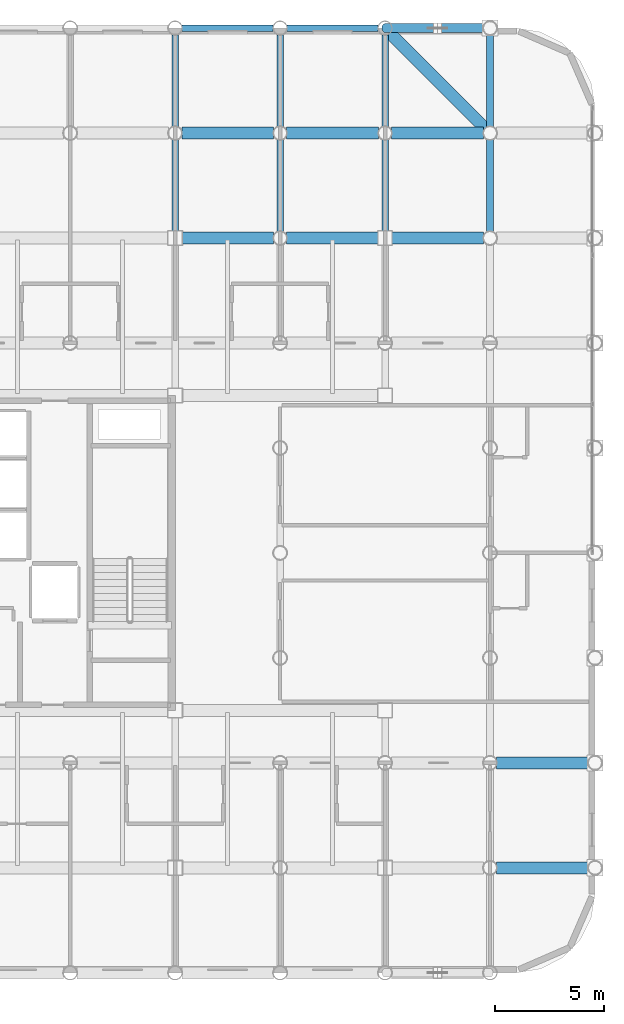
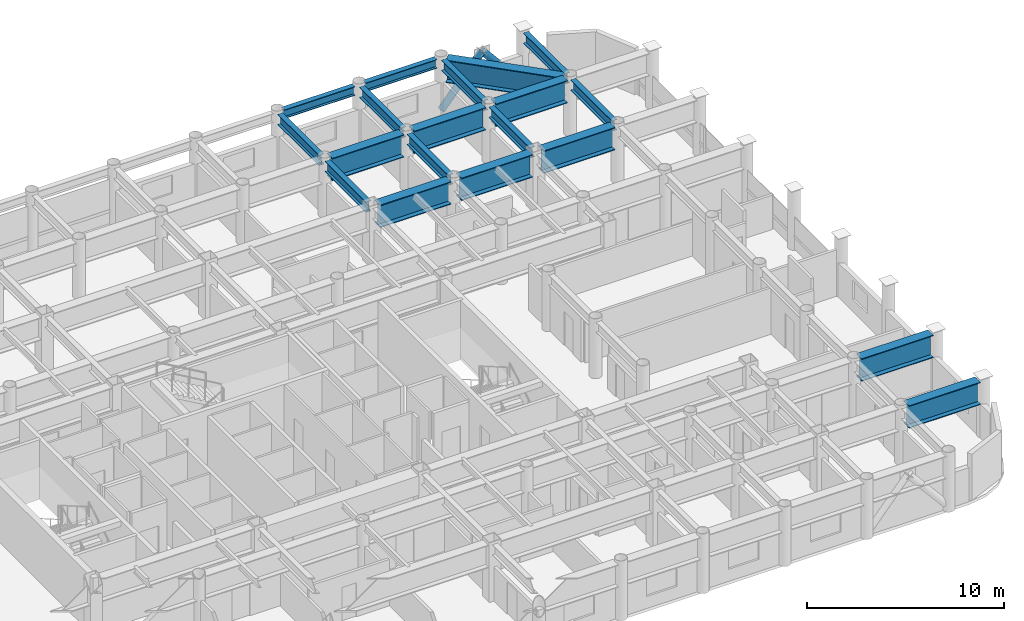
# One storey, part 13 of 23: 19 beams, 2 members.
"""IFC4 building model written with IfcOpenShell, lengths in metres."""

from ifc_helpers import new_model, si_unit, direction, frame, origin, origin_2d, place, context, subcontext, project, spatial, hollow_circle, i_section, extrude, material, material_profile, profile_set, type_object, element, save


model = new_model("IFC4")

# Units and contexts
model_context = context("Model", 3, precision=1e-05, world=origin(), true_north=direction((0.0, 1.0)))
body_context = subcontext(model_context, "Body", "Model", "MODEL_VIEW")
ifc_project = project(units=[si_unit("LENGTHUNIT", "METRE"), si_unit("AREAUNIT", "SQUARE_METRE"), si_unit("VOLUMEUNIT", "CUBIC_METRE"), si_unit("PLANEANGLEUNIT", "RADIAN"), si_unit("MASSUNIT", "GRAM", prefix="KILO")], contexts=[model_context])

# Site, building, storey
site_placement = place(None, origin())
site = spatial("IfcSite", under=ifc_project, at=site_placement, CompositionType="ELEMENT")
building_placement = place(site_placement, origin())
building = spatial("IfcBuilding", under=site, at=building_placement, Name="Kallvorn Hotel Tower", CompositionType="ELEMENT")
storey_placement = place(building_placement, frame((0.0, 0.0, 121.10009765625)))
storey = spatial("IfcBuildingStorey", under=building, at=storey_placement, Name="L29", CompositionType="ELEMENT", Elevation=121.10009765625)

# Beams
ifc_material_1 = material(Name="Structural steel S355JR", Category="steel")
ifc_material_profile_1 = material_profile(ifc_material_1, i_section(OverallWidth=0.300048828125, OverallDepth=0.550048828125, WebThickness=0.014892578125, FlangeThickness=0.029052734375, at=origin_2d()), Name="HE 550 B")
ifc_profile_set_1 = profile_set([ifc_material_profile_1], Name="Structural steel S355JR")
beam_type_1 = type_object("IfcBeamType", Name="BM_HE550B", PredefinedType="SPANDREL", material=ifc_profile_set_1)
for number, where, z_axis, x_axis, name in (
    (1, (14.719970703125, 24.0, 3.244873046875), (1.0, 0.0, 0.0), (0.0, 1.0, 0.0), "L30 Perimeter Spandrel 181"),
    (2, (19.52001953125, 24.0, 3.244873046875), (1.0, 0.0, 0.0), (0.0, 1.0, 0.0), "L30 Perimeter Spandrel 182"),
):
    element("IfcBeam", number, at=place(storey_placement, frame(where, z_axis=z_axis, x_axis=x_axis)), inside=storey, type_object=beam_type_1, Name=name, PredefinedType="SPANDREL", context=body_context, shape_type="SweptSolid", body=[
        extrude(i_section(OverallWidth=0.300048828125, OverallDepth=0.550048828125, WebThickness=0.014892578125, FlangeThickness=0.029052734375, at=origin_2d()), origin(), (0.0, 0.0, 1.0), 4.159912109375),
    ])
ifc_material_2 = material(Name="Structural steel S355JR", Category="steel")
ifc_material_profile_2 = material_profile(ifc_material_2, i_section(OverallWidth=0.300048828125, OverallDepth=0.64990234375, WebThickness=0.01611328125, FlangeThickness=0.031005859375, at=origin_2d()), Name="HE 650 B")
ifc_profile_set_2 = profile_set([ifc_material_profile_2], Name="Structural steel S355JR")
beam_type_2 = type_object("IfcBeamType", Name="BM_HE650B", PredefinedType="BEAM", material=ifc_profile_set_2)
beam_1_placement = place(storey_placement, frame((14.39990234375, 14.72509765625, 3.19482421875), z_axis=(0.0, 1.0, 0.0), x_axis=(-1.0, 0.0, 0.0)))
element("IfcBeam", 3, at=beam_1_placement, inside=storey, type_object=beam_type_2, Name="L30 Primary Y-Girder 133", PredefinedType="BEAM", context=body_context, shape_type="SweptSolid", body=[
    extrude(i_section(OverallWidth=0.300048828125, OverallDepth=0.64990234375, WebThickness=0.01611328125, FlangeThickness=0.031005859375, at=origin_2d()), origin(), (0.0, 0.0, 1.0), 4.169921875),
])
beam_2_placement = place(storey_placement, frame((14.39990234375, 19.5048828125, 3.19482421875), z_axis=(0.0, 1.0, 0.0), x_axis=(-1.0, 0.0, 0.0)))
element("IfcBeam", 4, at=beam_2_placement, inside=storey, type_object=beam_type_2, Name="L30 Primary Y-Girder 134", PredefinedType="BEAM", context=body_context, shape_type="SweptSolid", body=[
    extrude(i_section(OverallWidth=0.300048828125, OverallDepth=0.64990234375, WebThickness=0.01611328125, FlangeThickness=0.031005859375, at=origin_2d()), origin(), (0.0, 0.0, 1.0), 4.190185546875),
])
beam_3_placement = place(storey_placement, frame((19.199951171875, 14.705078125, 3.19482421875), z_axis=(0.0, 1.0, 0.0), x_axis=(-1.0, 0.0, 0.0)))
element("IfcBeam", 5, at=beam_3_placement, inside=storey, type_object=beam_type_2, Name="L30 Primary Y-Girder 142", PredefinedType="BEAM", context=body_context, shape_type="SweptSolid", body=[
    extrude(i_section(OverallWidth=0.300048828125, OverallDepth=0.64990234375, WebThickness=0.01611328125, FlangeThickness=0.031005859375, at=origin_2d()), origin(), (0.0, 0.0, 1.0), 4.18994140625),
])
beam_4_placement = place(storey_placement, frame((19.199951171875, 19.5048828125, 3.19482421875), z_axis=(0.0, 1.0, 0.0), x_axis=(-1.0, 0.0, 0.0)))
element("IfcBeam", 6, at=beam_4_placement, inside=storey, type_object=beam_type_2, Name="L30 Primary Y-Girder 143", PredefinedType="BEAM", context=body_context, shape_type="SweptSolid", body=[
    extrude(i_section(OverallWidth=0.300048828125, OverallDepth=0.64990234375, WebThickness=0.01611328125, FlangeThickness=0.031005859375, at=origin_2d()), origin(), (0.0, 0.0, 1.0), 4.190185546875),
])
beam_5_placement = place(storey_placement, frame((24.0, 14.72509765625, 3.19482421875), z_axis=(0.0, 1.0, 0.0), x_axis=(-1.0, 0.0, 0.0)))
element("IfcBeam", 7, at=beam_5_placement, inside=storey, type_object=beam_type_2, Name="L30 Primary Y-Girder 149", PredefinedType="BEAM", context=body_context, shape_type="SweptSolid", body=[
    extrude(i_section(OverallWidth=0.300048828125, OverallDepth=0.64990234375, WebThickness=0.01611328125, FlangeThickness=0.031005859375, at=origin_2d()), origin(), (0.0, 0.0, 1.0), 4.169921875),
])
beam_6_placement = place(storey_placement, frame((24.0, 19.5048828125, 3.19482421875), z_axis=(0.0, 1.0, 0.0), x_axis=(-1.0, 0.0, 0.0)))
element("IfcBeam", 8, at=beam_6_placement, inside=storey, type_object=beam_type_2, Name="L30 Primary Y-Girder 150", PredefinedType="BEAM", context=body_context, shape_type="SweptSolid", body=[
    extrude(i_section(OverallWidth=0.300048828125, OverallDepth=0.64990234375, WebThickness=0.01611328125, FlangeThickness=0.031005859375, at=origin_2d()), origin(), (0.0, 0.0, 1.0), 4.190185546875),
])
beam_7_placement = place(storey_placement, frame((28.800048828125, 14.705078125, 3.19482421875), z_axis=(0.0, 1.0, 0.0), x_axis=(-1.0, 0.0, 0.0)))
element("IfcBeam", 9, at=beam_7_placement, inside=storey, type_object=beam_type_2, Name="L30 Primary Y-Girder 158", PredefinedType="BEAM", context=body_context, shape_type="SweptSolid", body=[
    extrude(i_section(OverallWidth=0.300048828125, OverallDepth=0.64990234375, WebThickness=0.01611328125, FlangeThickness=0.031005859375, at=origin_2d()), origin(), (0.0, 0.0, 1.0), 4.18994140625),
])
beam_8_placement = place(storey_placement, frame((28.800048828125, 19.5048828125, 3.19482421875), z_axis=(0.0, 1.0, 0.0), x_axis=(-1.0, 0.0, 0.0)))
element("IfcBeam", 10, at=beam_8_placement, inside=storey, type_object=beam_type_2, Name="L30 Primary Y-Girder 159", PredefinedType="BEAM", context=body_context, shape_type="SweptSolid", body=[
    extrude(i_section(OverallWidth=0.300048828125, OverallDepth=0.64990234375, WebThickness=0.01611328125, FlangeThickness=0.031005859375, at=origin_2d()), origin(), (0.0, 0.0, 1.0), 4.190185546875),
])
ifc_material_3 = material(Name="Structural steel S355JR", Category="steel")
ifc_material_profile_3 = material_profile(ifc_material_3, i_section(OverallWidth=0.550048828125, OverallDepth=1.39990234375, WebThickness=0.02490234375, FlangeThickness=0.044921875, at=origin_2d()), Name="PG 1400x550x25x45")
ifc_profile_set_3 = profile_set([ifc_material_profile_3], Name="Structural steel S355JR")
beam_type_3 = type_object("IfcBeamType", Name="BM_PG_1400", PredefinedType="BEAM", material=ifc_profile_set_3)
for number, where, z_axis, x_axis, name in (
    (11, (29.10498046875, -14.39990234375, 2.81982421875), (1.0, 0.0, 0.0), (0.0, 1.0, 0.0), "L30 Primary X-Girder 31"),
    (12, (29.10498046875, -9.60009765625, 2.81982421875), (1.0, 0.0, 0.0), (0.0, 1.0, 0.0), "L30 Primary X-Girder 40"),
):
    element("IfcBeam", number, at=place(storey_placement, frame(where, z_axis=z_axis, x_axis=x_axis)), inside=storey, type_object=beam_type_3, Name=name, PredefinedType="BEAM", context=body_context, shape_type="SweptSolid", body=[
        extrude(i_section(OverallWidth=0.550048828125, OverallDepth=1.39990234375, WebThickness=0.02490234375, FlangeThickness=0.044921875, at=origin_2d()), origin(), (0.0, 0.0, 1.0), 4.18994140625),
    ])
beam_9_placement = place(storey_placement, frame((14.72509765625, 14.39990234375, 2.81982421875), z_axis=(1.0, 0.0, 0.0), x_axis=(0.0, 1.0, 0.0)))
element("IfcBeam", 13, at=beam_9_placement, inside=storey, type_object=beam_type_3, Name="L30 Primary X-Girder 65", PredefinedType="BEAM", context=body_context, shape_type="SweptSolid", body=[
    extrude(i_section(OverallWidth=0.550048828125, OverallDepth=1.39990234375, WebThickness=0.02490234375, FlangeThickness=0.044921875, at=origin_2d()), origin(), (0.0, 0.0, 1.0), 4.169921875),
])
for number, where, z_axis, x_axis, name in (
    (14, (19.5048828125, 14.39990234375, 2.81982421875), (1.0, 0.0, 0.0), (0.0, 1.0, 0.0), "L30 Primary X-Girder 66"),
    (15, (24.324951171875, 14.39990234375, 2.81982421875), (1.0, 0.0, 0.0), (0.0, 1.0, 0.0), "L30 Primary X-Girder 67"),
):
    element("IfcBeam", number, at=place(storey_placement, frame(where, z_axis=z_axis, x_axis=x_axis)), inside=storey, type_object=beam_type_3, Name=name, PredefinedType="BEAM", context=body_context, shape_type="SweptSolid", body=[
        extrude(i_section(OverallWidth=0.550048828125, OverallDepth=1.39990234375, WebThickness=0.02490234375, FlangeThickness=0.044921875, at=origin_2d()), origin(), (0.0, 0.0, 1.0), 4.170166015625),
    ])
beam_10_placement = place(storey_placement, frame((14.705078125, 19.199951171875, 2.81982421875), z_axis=(1.0, 0.0, 0.0), x_axis=(0.0, 1.0, 0.0)))
element("IfcBeam", 16, at=beam_10_placement, inside=storey, type_object=beam_type_3, Name="L30 Primary X-Girder 78", PredefinedType="BEAM", context=body_context, shape_type="SweptSolid", body=[
    extrude(i_section(OverallWidth=0.550048828125, OverallDepth=1.39990234375, WebThickness=0.02490234375, FlangeThickness=0.044921875, at=origin_2d()), origin(), (0.0, 0.0, 1.0), 4.18994140625),
])
for number, where, z_axis, x_axis, name in (
    (17, (19.5048828125, 19.199951171875, 2.81982421875), (1.0, 0.0, 0.0), (0.0, 1.0, 0.0), "L30 Primary X-Girder 79"),
    (18, (24.304931640625, 19.199951171875, 2.81982421875), (1.0, 0.0, 0.0), (0.0, 1.0, 0.0), "L30 Primary X-Girder 80"),
):
    element("IfcBeam", number, at=place(storey_placement, frame(where, z_axis=z_axis, x_axis=x_axis)), inside=storey, type_object=beam_type_3, Name=name, PredefinedType="BEAM", context=body_context, shape_type="SweptSolid", body=[
        extrude(i_section(OverallWidth=0.550048828125, OverallDepth=1.39990234375, WebThickness=0.02490234375, FlangeThickness=0.044921875, at=origin_2d()), origin(), (0.0, 0.0, 1.0), 4.190185546875),
    ])
beam_11_placement = place(storey_placement, frame((28.57373046875, 19.42626953125, 2.81982421875), z_axis=(-0.707106781187, 0.707106781187, 0.0), x_axis=(-0.707106781187, -0.707106781187, 0.0)))
element("IfcBeam", 19, at=beam_11_placement, inside=storey, type_object=beam_type_3, Name="L30 Rounded Corner Tie Beam 200", PredefinedType="BEAM", context=body_context, shape_type="SweptSolid", body=[
    extrude(i_section(OverallWidth=0.550048828125, OverallDepth=1.39990234375, WebThickness=0.02490234375, FlangeThickness=0.044921875, at=origin_2d()), origin(), (0.0, 0.0, 1.0), 6.148193359375),
])

# Members
ifc_material_4 = material(Name="Structural steel S355J2H", Category="steel")
ifc_material_profile_4 = material_profile(ifc_material_4, hollow_circle(Radius=0.203125, WallThickness=0.01611328125, at=origin_2d()), Name="CHS 406.4x16")
ifc_profile_set_4 = profile_set([ifc_material_profile_4], Name="Structural steel S355J2H")
member_type = type_object("IfcMemberType", Name="MBR_EXO_CHS406", PredefinedType="BRACE", material=ifc_profile_set_4)
for number, where, z_axis, x_axis, name in (
    (20, (24.012939453125, 24.0, 0.1953125), (0.646833296797, 0.0, 0.762631422218), (0.0, 1.0, 0.0), "L29 Exoskeleton K-Brace N2A"),
    (21, (28.787109375, 24.0, 0.1953125), (-0.646833296797, 0.0, 0.762631422218), (0.0, -1.0, 0.0), "L29 Exoskeleton K-Brace N2B"),
):
    element("IfcMember", number, at=place(storey_placement, frame(where, z_axis=z_axis, x_axis=x_axis)), inside=storey, type_object=member_type, Name=name, PredefinedType="BRACE", context=body_context, shape_type="SweptSolid", body=[
        extrude(hollow_circle(Radius=0.203125, WallThickness=0.01611328125, at=origin_2d()), origin(), (0.0, 0.0, 1.0), 3.670654296875),
    ])

save(model, "model.ifc")
